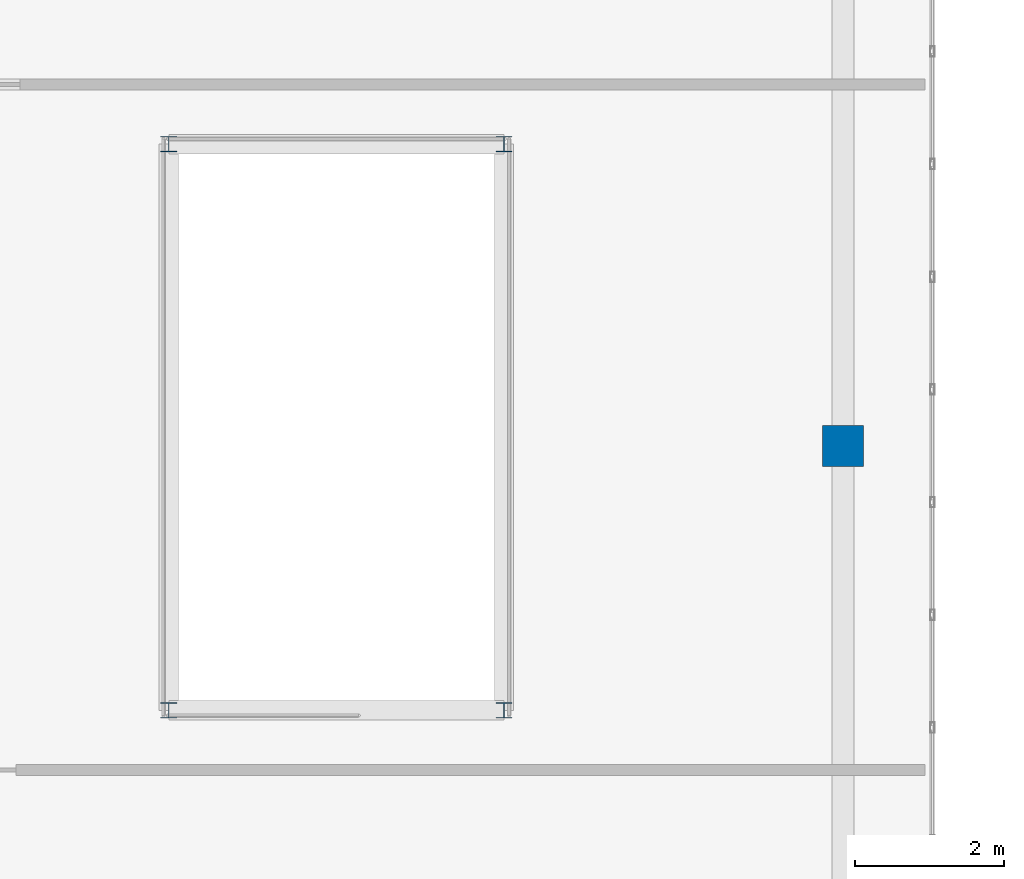
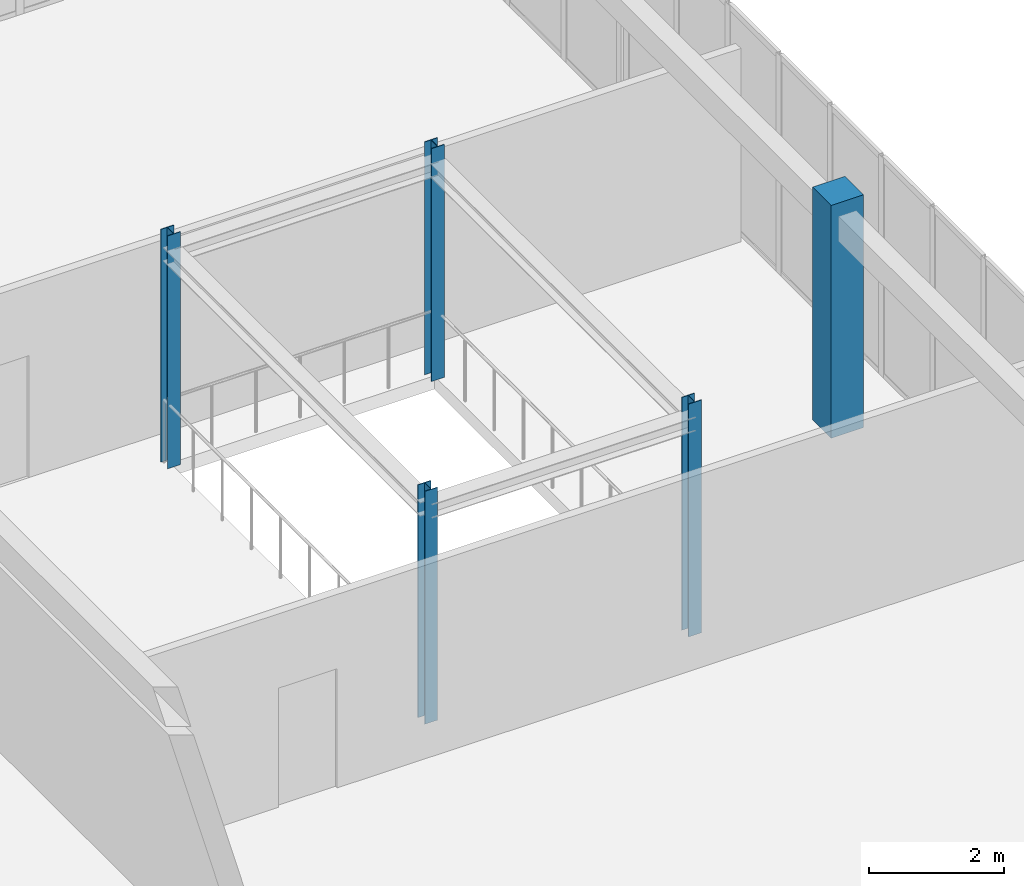
# One storey, part 4 of 81: 5 columns.
"""IFC4 building model written with IfcOpenShell, lengths in metres."""

from ifc_helpers import new_model, si_unit, direction, frame, origin, origin_2d, place, context, subcontext, project, spatial, rectangle, i_section, extrude, material, material_profile, profile_set, type_object, element, save


model = new_model("IFC4")

# Units and contexts
model_context = context("Model", 3, precision=1e-05, world=origin(), true_north=direction((0.0, 1.0)))
body_context = subcontext(model_context, "Body", "Model", "MODEL_VIEW")
ifc_project = project(units=[si_unit("LENGTHUNIT", "METRE"), si_unit("AREAUNIT", "SQUARE_METRE"), si_unit("VOLUMEUNIT", "CUBIC_METRE"), si_unit("PLANEANGLEUNIT", "RADIAN"), si_unit("MASSUNIT", "GRAM", prefix="KILO")], contexts=[model_context])

# Site, building, storey
site_placement = place(None, origin())
site = spatial("IfcSite", under=ifc_project, at=site_placement, CompositionType="ELEMENT")
building_placement = place(site_placement, origin())
building = spatial("IfcBuilding", under=site, at=building_placement, Name="Trelvath General Hospital", CompositionType="ELEMENT")
storey_placement = place(building_placement, frame((0.0, 0.0, 24.60009765625)))
storey = spatial("IfcBuildingStorey", under=building, at=storey_placement, Name="L06", CompositionType="ELEMENT", Elevation=24.60009765625)

# Columns
ifc_material_1 = material(Name="Concrete C40/50", Category="concrete")
ifc_material_profile_1 = material_profile(ifc_material_1, rectangle(XDim=0.550048828125, YDim=0.550048828125, at=origin_2d()), Name="RC550x550")
ifc_profile_set_1 = profile_set([ifc_material_profile_1], Name="Concrete C40/50")
column_type_1 = type_object("IfcColumnType", Name="Column RC550", PredefinedType="COLUMN", material=ifc_profile_set_1)
column_placement = place(storey_placement, frame((107.199951171875, 58.800048828125, 0.0), z_axis=(0.0, 0.0, 1.0), x_axis=(1.0, 0.0, 0.0)))
element("IfcColumn", 1, at=column_placement, inside=storey, type_object=column_type_1, Name="Cube Interior Column CC-E02 L06", PredefinedType="COLUMN", context=body_context, shape_type="SweptSolid", body=[
    extrude(rectangle(XDim=0.550048828125, YDim=0.550048828125, at=origin_2d()), origin(), (0.0, 0.0, 1.0), 4.199951171875),
])
ifc_material_2 = material(Name="Steel S355", Category="steel")
ifc_material_profile_2 = material_profile(ifc_material_2, i_section(OverallWidth=0.219970703125, OverallDepth=0.2099609375, WebThickness=0.007080078125, FlangeThickness=0.010986328125, at=origin_2d()), Name="HEA220")
ifc_profile_set_2 = profile_set([ifc_material_profile_2], Name="Steel S355")
column_type_2 = type_object("IfcColumnType", Name="StairPost HEA220", PredefinedType="COLUMN", material=ifc_profile_set_2)
for number, where, z_axis, x_axis, name in (
    (2, (98.14990234375, 55.25, 0.0), (0.0, 0.0, 1.0), (1.0, 0.0, 0.0), "Atrium Stair Post CUBE-E 1 L06"),
    (3, (102.64990234375, 55.25, 0.0), (0.0, 0.0, 1.0), (1.0, 0.0, 0.0), "Atrium Stair Post CUBE-E 2 L06"),
    (4, (98.14990234375, 62.85009765625, 0.0), (0.0, 0.0, 1.0), (1.0, 0.0, 0.0), "Atrium Stair Post CUBE-E 3 L06"),
    (5, (102.64990234375, 62.85009765625, 0.0), (0.0, 0.0, 1.0), (1.0, 0.0, 0.0), "Atrium Stair Post CUBE-E 4 L06"),
):
    element("IfcColumn", number, at=place(storey_placement, frame(where, z_axis=z_axis, x_axis=x_axis)), inside=storey, type_object=column_type_2, Name=name, PredefinedType="COLUMN", context=body_context, shape_type="SweptSolid", body=[
        extrude(i_section(OverallWidth=0.219970703125, OverallDepth=0.2099609375, WebThickness=0.007080078125, FlangeThickness=0.010986328125, at=origin_2d()), origin(), (0.0, 0.0, 1.0), 4.199951171875),
    ])

save(model, "model.ifc")
